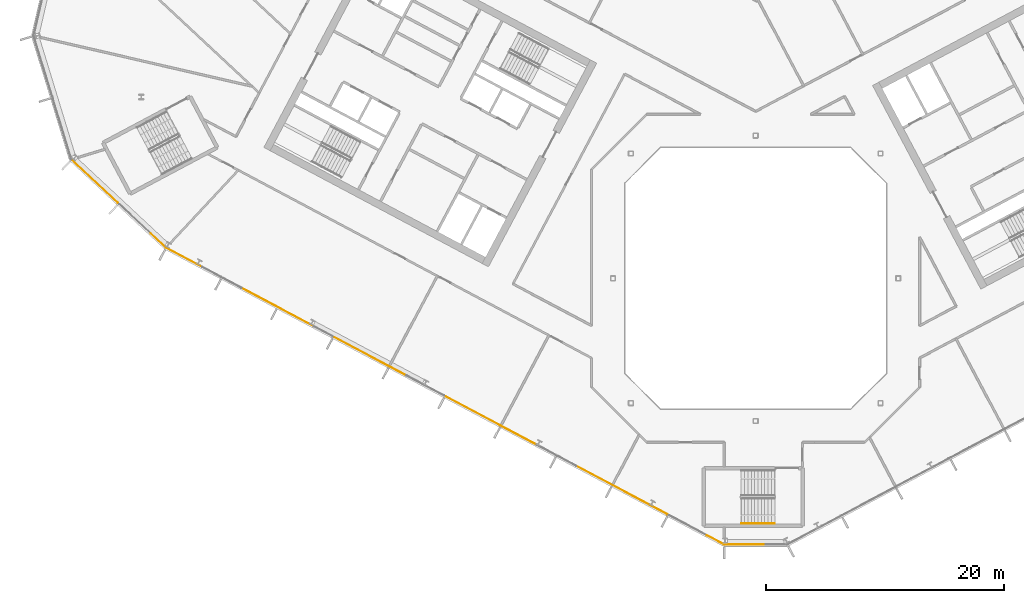
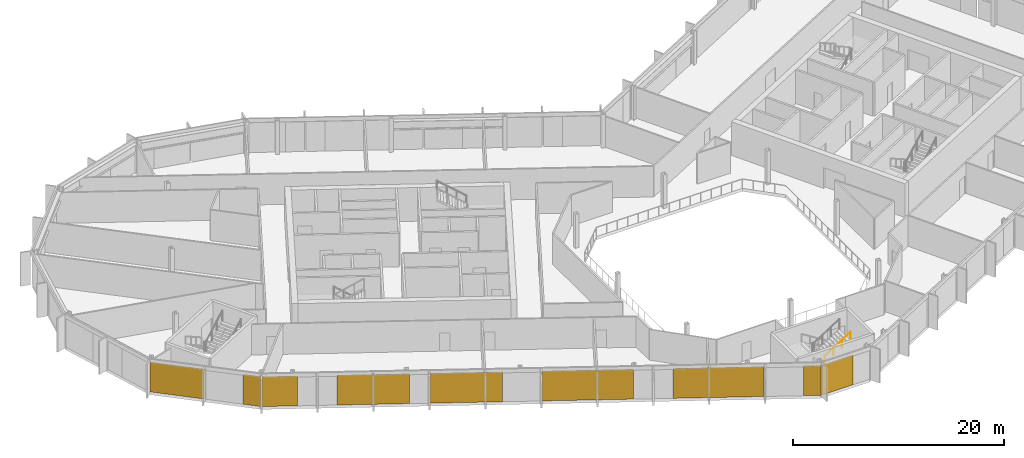
# One storey, part 19 of 27: 9 coverings, 1 railing, 3 elements without a shape of their own.
"""IFC4 building model written with IfcOpenShell, lengths in metres."""

from ifc_helpers import new_model, si_unit, direction, frame, origin, origin_2d, place, context, subcontext, project, spatial, polyline, rectangle, outline, extrude, material, layer, layer_set, type_object, element, aggregate, save


model = new_model("IFC4")

# Units and contexts
model_context = context("Model", 3, precision=1e-05, world=origin(), true_north=direction((0.0, 1.0)))
body_context = subcontext(model_context, "Body", "Model", "MODEL_VIEW")
ifc_project = project(units=[si_unit("LENGTHUNIT", "METRE"), si_unit("AREAUNIT", "SQUARE_METRE"), si_unit("VOLUMEUNIT", "CUBIC_METRE"), si_unit("PLANEANGLEUNIT", "RADIAN"), si_unit("MASSUNIT", "GRAM", prefix="KILO")], contexts=[model_context])

# Site, building, storey
site_placement = place(None, origin())
site = spatial("IfcSite", under=ifc_project, at=site_placement, CompositionType="ELEMENT")
building_placement = place(site_placement, origin())
building = spatial("IfcBuilding", under=site, at=building_placement, Name="Cormorant Relay Tower", CompositionType="ELEMENT")
storey_placement = place(building_placement, frame((0.0, 0.0, 209.10009765625)))
storey = spatial("IfcBuildingStorey", under=building, at=storey_placement, Name="L45", CompositionType="ELEMENT", Elevation=209.10009765625)

# Curtain wall, covering
ifc_material_1 = material(Name="Aluminium 6063-T6 anodised bronze", Category="aluminium")
ifc_layer_1 = layer(ifc_material_1, 0.199951171875)
ifc_layer_set_1 = layer_set([ifc_layer_1], Name="CW1 unitised bronze curtain wall with vertical fins")
curtain_wall_type = type_object("IfcCurtainWallType", Name="CW1 unitised bronze curtain wall with vertical fins", PredefinedType="NOTDEFINED", material=ifc_layer_set_1)
curtain_wall_1_placement = place(storey_placement, origin())
curtain_wall_1 = element("IfcCurtainWall", 1, at=curtain_wall_1_placement, inside=storey, type_object=curtain_wall_type, Name="CW1 curtain wall 1", PredefinedType="NOTDEFINED")
ifc_material_2 = material(Name="Pale bronze anodised aluminium insulated panel", Category="aluminium")
ifc_layer_2 = layer(ifc_material_2, 0.0400390625)
ifc_layer_set_2 = layer_set([ifc_layer_2], Name="CW1 pale bronze insulated panel 40")
covering_type = type_object("IfcCoveringType", Name="CW1 pale bronze insulated panel 40", PredefinedType="CLADDING", material=ifc_layer_set_2)
covering_1_placement = place(storey_placement, frame((-0.862548828125, -22.3955078125, 0.0), z_axis=(0.0, 0.0, 1.0), x_axis=(1.0, 0.0, 0.0)))
covering_1 = element("IfcCovering", 2, at=covering_1_placement, type_object=covering_type, Name="CW1 panel S00", PredefinedType="CLADDING", context=body_context, shape_type="SweptSolid", body=[
    extrude(rectangle(XDim=3.422607421875, YDim=0.0400390625, at=origin_2d()), origin(), (0.0, 0.0, 1.0), 3.449951171875),
])
aggregate(curtain_wall_1, [covering_1])

# Curtain wall, coverings
curtain_wall_2_placement = place(storey_placement, origin())
curtain_wall_2 = element("IfcCurtainWall", 3, at=curtain_wall_2_placement, inside=storey, type_object=curtain_wall_type, Name="CW1 curtain wall 15", PredefinedType="NOTDEFINED")
covering_2_placement = place(storey_placement, frame((-55.56787109375, 8.1298828125, 0.0), z_axis=(0.0, 0.0, 1.0), x_axis=(0.731353701619, -0.681998360062, 0.0)))
covering_2 = element("IfcCovering", 4, at=covering_2_placement, type_object=covering_type, Name="CW1 panel S00", PredefinedType="CLADDING", context=body_context, shape_type="SweptSolid", body=[
    extrude(rectangle(XDim=5.28515625, YDim=0.0400390625, at=origin_2d()), origin(), (0.0, 0.0, 1.0), 3.449951171875),
])
covering_3_placement = place(storey_placement, frame((-50.248779296875, 3.169921875, 0.0), z_axis=(0.0, 0.0, 1.0), x_axis=(0.731353701619, -0.681998360062, 0.0)))
covering_3 = element("IfcCovering", 5, at=covering_3_placement, type_object=covering_type, Name="CW1 panel S02", PredefinedType="CLADDING", context=body_context, shape_type="SweptSolid", body=[
    extrude(rectangle(XDim=1.76025390625, YDim=0.0400390625, at=origin_2d()), origin(), (0.0, 0.0, 1.0), 3.449951171875),
])
aggregate(curtain_wall_2, [covering_2, covering_3])

curtain_wall_3_placement = place(storey_placement, origin())
curtain_wall_3 = element("IfcCurtainWall", 6, at=curtain_wall_3_placement, inside=storey, type_object=curtain_wall_type, Name="CW1 curtain wall 16", PredefinedType="NOTDEFINED")
covering_4_placement = place(storey_placement, frame((-48.048583984375, 1.7412109375, 0.0), z_axis=(0.0, 0.0, 1.0), x_axis=(0.882947592859, -0.469471562786, 0.0)))
covering_4 = element("IfcCovering", 7, at=covering_4_placement, type_object=covering_type, Name="CW1 panel S00", PredefinedType="CLADDING", context=body_context, shape_type="SweptSolid", body=[
    extrude(rectangle(XDim=3.36669921875, YDim=0.0400390625, at=origin_2d()), origin(), (0.0, 0.0, 1.0), 3.449951171875),
])
covering_5_placement = place(storey_placement, frame((-40.21240234375, -2.42529296875, 0.0), z_axis=(0.0, 0.0, 1.0), x_axis=(0.882947592859, -0.469471562786, 0.0)))
covering_5 = element("IfcCovering", 8, at=covering_5_placement, type_object=covering_type, Name="CW1 panel S03", PredefinedType="CLADDING", context=body_context, shape_type="SweptSolid", body=[
    extrude(rectangle(XDim=6.88330078125, YDim=0.0400390625, at=origin_2d()), origin(), (0.0, 0.0, 1.0), 3.449951171875),
])
covering_6_placement = place(storey_placement, frame((-32.4130859375, -6.572265625, 0.0), z_axis=(0.0, 0.0, 1.0), x_axis=(0.882947592859, -0.469471562786, 0.0)))
covering_6 = element("IfcCovering", 9, at=covering_6_placement, type_object=covering_type, Name="CW1 panel S05", PredefinedType="CLADDING", context=body_context, shape_type="SweptSolid", body=[
    extrude(rectangle(XDim=6.88330078125, YDim=0.0400390625, at=origin_2d()), origin(), (0.0, 0.0, 1.0), 3.449951171875),
])
covering_7_placement = place(storey_placement, frame((-22.22998046875, -11.98681640625, 0.0), z_axis=(0.0, 0.0, 1.0), x_axis=(0.882947592859, -0.469471562786, 0.0)))
covering_7 = element("IfcCovering", 10, at=covering_7_placement, type_object=covering_type, Name="CW1 panel S07", PredefinedType="CLADDING", context=body_context, shape_type="SweptSolid", body=[
    extrude(rectangle(XDim=8.68310546875, YDim=0.0400390625, at=origin_2d()), origin(), (0.0, 0.0, 1.0), 3.449951171875),
])
covering_8_placement = place(storey_placement, frame((-11.252197265625, -17.82373046875, 0.0), z_axis=(0.0, 0.0, 1.0), x_axis=(0.882947592859, -0.469471562786, 0.0)))
covering_8 = element("IfcCovering", 11, at=covering_8_placement, type_object=covering_type, Name="CW1 panel S10", PredefinedType="CLADDING", context=body_context, shape_type="SweptSolid", body=[
    extrude(rectangle(XDim=8.68310546875, YDim=0.0400390625, at=origin_2d()), origin(), (0.0, 0.0, 1.0), 3.449951171875),
])
covering_9_placement = place(storey_placement, frame((-3.383056640625, -22.0078125, 0.0), z_axis=(0.0, 0.0, 1.0), x_axis=(0.882947592859, -0.469471562786, 0.0)))
covering_9 = element("IfcCovering", 12, at=covering_9_placement, type_object=covering_type, Name="CW1 panel S12", PredefinedType="CLADDING", context=body_context, shape_type="SweptSolid", body=[
    extrude(rectangle(XDim=1.6416015625, YDim=0.0400390625, at=origin_2d()), origin(), (0.0, 0.0, 1.0), 3.449951171875),
])
aggregate(curtain_wall_3, [covering_4, covering_5, covering_6, covering_7, covering_8, covering_9])

# Railing
ifc_material_3 = material(Name="Steel ASTM A572 Grade 50 (Fy 345 MPa)", Category="steel")
railing_type = type_object("IfcRailingType", Name="Stair handrail 900", PredefinedType="HANDRAIL", material=ifc_material_3)
railing_placement = place(storey_placement, frame((-1.199951171875, -20.625, 2.127197265625)))
element("IfcRailing", 13, at=railing_placement, inside=storey, type_object=railing_type, Name="L45 RK1 stair handrail 2", PredefinedType="HANDRAIL", context=body_context, shape_type="SweptSolid", body=[
    extrude(outline(polyline([(0.022216796875, 0.00927734375), (0.00927734375, 0.022216796875), (-0.00927734375, 0.022216796875), (-0.022216796875, 0.00927734375), (-0.022216796875, -0.00927734375), (-0.00927734375, -0.022216796875), (0.00927734375, -0.022216796875), (0.022216796875, -0.00927734375), (0.022216796875, 0.00927734375)])), frame((0.0, 0.0, 0.8759765625), z_axis=(0.844908973607, 0.0, 0.534910110503), x_axis=(0.0, 1.0, 0.0)), (0.0, 0.0, 1.0), 3.31396484375),
    extrude(outline(polyline([(0.019287109375, 0.008056640625), (0.008056640625, 0.019287109375), (-0.008056640625, 0.019287109375), (-0.019287109375, 0.008056640625), (-0.019287109375, -0.008056640625), (-0.008056640625, -0.019287109375), (0.008056640625, -0.019287109375), (0.019287109375, -0.008056640625), (0.019287109375, 0.008056640625)])), origin(), (0.0, 0.0, 1.0), 0.851806640625),
    extrude(outline(polyline([(0.019287109375, 0.008056640625), (0.008056640625, 0.019287109375), (-0.008056640625, 0.019287109375), (-0.019287109375, 0.008056640625), (-0.019287109375, -0.008056640625), (-0.008056640625, -0.019287109375), (0.008056640625, -0.019287109375), (0.019287109375, -0.008056640625), (0.019287109375, 0.008056640625)])), frame((0.933349609375, 0.0, 0.5908203125)), (0.0, 0.0, 1.0), 0.851806640625),
    extrude(outline(polyline([(0.019287109375, 0.008056640625), (0.008056640625, 0.019287109375), (-0.008056640625, 0.019287109375), (-0.019287109375, 0.008056640625), (-0.019287109375, -0.008056640625), (-0.008056640625, -0.019287109375), (0.008056640625, -0.019287109375), (0.019287109375, -0.008056640625), (0.019287109375, 0.008056640625)])), frame((1.86669921875, 0.0, 1.181884765625)), (0.0, 0.0, 1.0), 0.851806640625),
    extrude(outline(polyline([(0.019287109375, 0.008056640625), (0.008056640625, 0.019287109375), (-0.008056640625, 0.019287109375), (-0.019287109375, 0.008056640625), (-0.019287109375, -0.008056640625), (-0.008056640625, -0.019287109375), (0.008056640625, -0.019287109375), (0.019287109375, -0.008056640625), (0.019287109375, 0.008056640625)])), frame((2.800048828125, 0.0, 1.772705078125)), (0.0, 0.0, 1.0), 0.851806640625),
])

save(model, "model.ifc")
